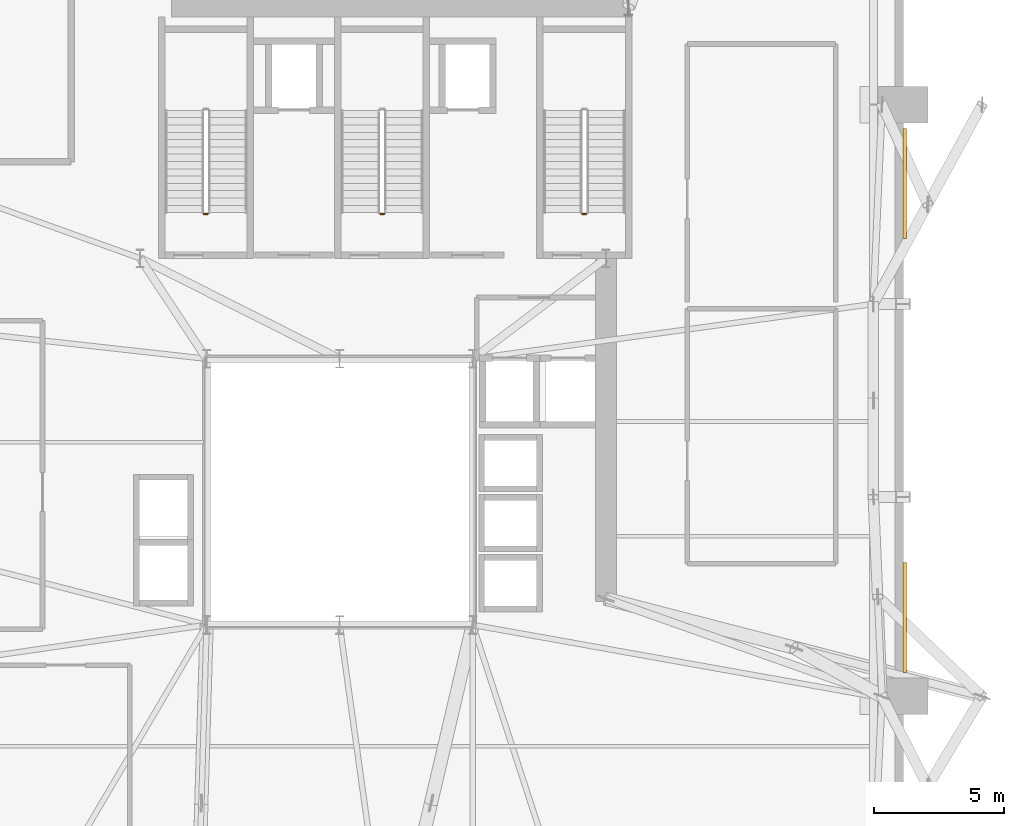
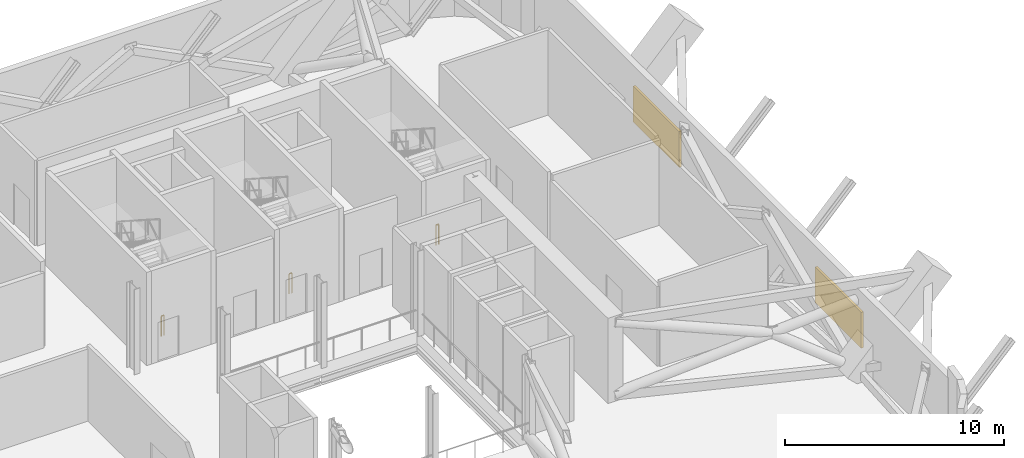
# One storey, part 13 of 14: 3 railings, 2 shading devices.
"""IFC4 building model written with IfcOpenShell, lengths in metres."""

from ifc_helpers import new_model, si_unit, direction, frame, origin, origin_2d, place, context, subcontext, project, spatial, rectangle, extrude, source, transform, mapped, material, layer, layer_set, type_object, element, save


model = new_model("IFC4")

# Units and contexts
model_context = context("Model", 3, precision=1e-05, world=origin(), true_north=direction((0.0, 1.0)))
body_context = subcontext(model_context, "Body", "Model", "MODEL_VIEW")
ifc_project = project(units=[si_unit("LENGTHUNIT", "METRE"), si_unit("AREAUNIT", "SQUARE_METRE"), si_unit("VOLUMEUNIT", "CUBIC_METRE"), si_unit("PLANEANGLEUNIT", "RADIAN"), si_unit("MASSUNIT", "GRAM", prefix="KILO")], contexts=[model_context])

# Site, building, storey
site_placement = place(None, origin())
site = spatial("IfcSite", under=ifc_project, at=site_placement, CompositionType="ELEMENT")
building_placement = place(site_placement, origin())
building = spatial("IfcBuilding", under=site, at=building_placement, Name="Vardaveli Station Tower", CompositionType="ELEMENT")
storey_placement = place(building_placement, frame((0.0, 0.0, 237.300048828125)))
storey = spatial("IfcBuildingStorey", under=building, at=storey_placement, Name="L61", CompositionType="ELEMENT", Elevation=237.300048828125)

# Shading devices
ifc_material_1 = material(Name="Anodised champagne aluminium acoustic louvre", Category="aluminium")
ifc_layer = layer(ifc_material_1, 0.1201171875, Name="Anodised champagne aluminium acoustic louvre")
ifc_layer_set = layer_set([ifc_layer], Name="Anodised champagne aluminium acoustic louvre")
shading_device_type = type_object("IfcShadingDeviceType", Name="SHD-LOUVRE-JAL", PredefinedType="JALOUSIE", material=ifc_layer_set)
shared_shape_1 = source(origin(), body_context, "Body", "SweptSolid", [
    extrude(rectangle(XDim=4.199951171875, YDim=0.1201171875, at=origin_2d()), origin(), (0.0, 0.0, 1.0), 2.0),
])
for number, where, z_axis, x_axis, name in (
    (1, (57.9541015625, 16.884033203125, 0.599853515625), (0.0, 0.0, 1.0), (0.0, 1.0, 0.0), "SHD-LV-L61-E1"),
    (2, (57.9541015625, 33.51611328125, 0.599853515625), (0.0, 0.0, 1.0), (0.0, 1.0, 0.0), "SHD-LV-L61-E2"),
):
    element("IfcShadingDevice", number, at=place(storey_placement, frame(where, z_axis=z_axis, x_axis=x_axis)), inside=storey, type_object=shading_device_type, Name=name, PredefinedType="JALOUSIE", context=body_context, shape_type="MappedRepresentation", body=[
        mapped(shared_shape_1, transform((0.0, 0.0, 0.0), scale=1.0)),
    ])

# Railings
ifc_material_2 = material(Name="Brushed AISI 316 stainless steel", Category="steel")
railing_type = type_object("IfcRailingType", Name="RL-GUARD-1150", PredefinedType="GUARDRAIL", material=ifc_material_2)
shared_shape_2 = source(origin(), body_context, "Body", "SweptSolid", [
    extrude(rectangle(XDim=0.048095703125, YDim=0.048095703125, at=origin_2d()), frame((0.0, 0.0, 1.1259765625), z_axis=(-1.0, 0.0, 0.0), x_axis=(0.0, -1.0, 0.0)), (0.0, 0.0, 1.0), 0.14990234375),
    extrude(rectangle(XDim=0.0419921875, YDim=0.0419921875, at=origin_2d()), origin(), (0.0, 0.0, 1.0), 1.101806640625),
    extrude(rectangle(XDim=0.0419921875, YDim=0.0419921875, at=origin_2d()), frame((-0.14990234375, 0.0, 0.0)), (0.0, 0.0, 1.0), 1.101806640625),
])
for number, where, name in (
    (3, (31.25, 32.35009765625, 0.0), "L61 ST-1 stair guard 4"),
    (4, (38.0, 32.35009765625, 0.0), "L61 ST-2 stair guard 4"),
    (5, (45.75, 32.35009765625, 0.0), "L61 ST-3 stair guard 4"),
):
    element("IfcRailing", number, at=place(storey_placement, frame(where)), inside=storey, type_object=railing_type, Name=name, PredefinedType="GUARDRAIL", context=body_context, shape_type="MappedRepresentation", body=[
        mapped(shared_shape_2, transform((0.0, 0.0, 0.0), scale=1.0)),
    ])

save(model, "model.ifc")
